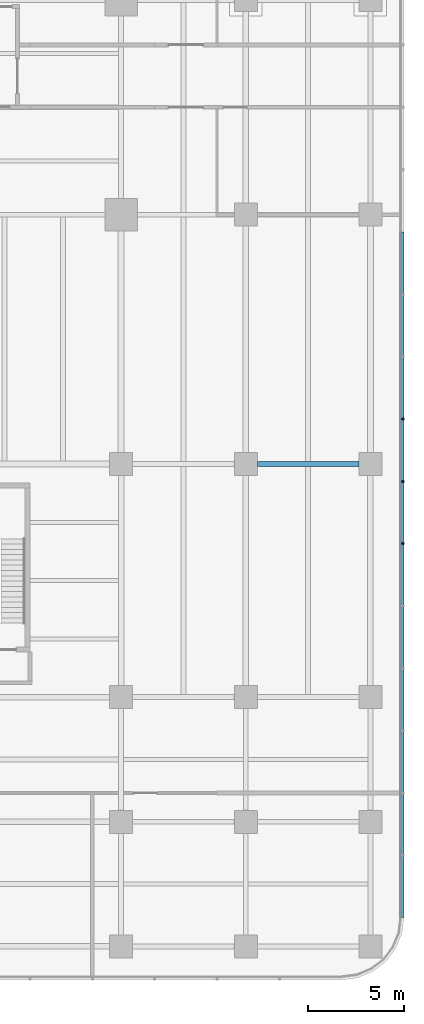
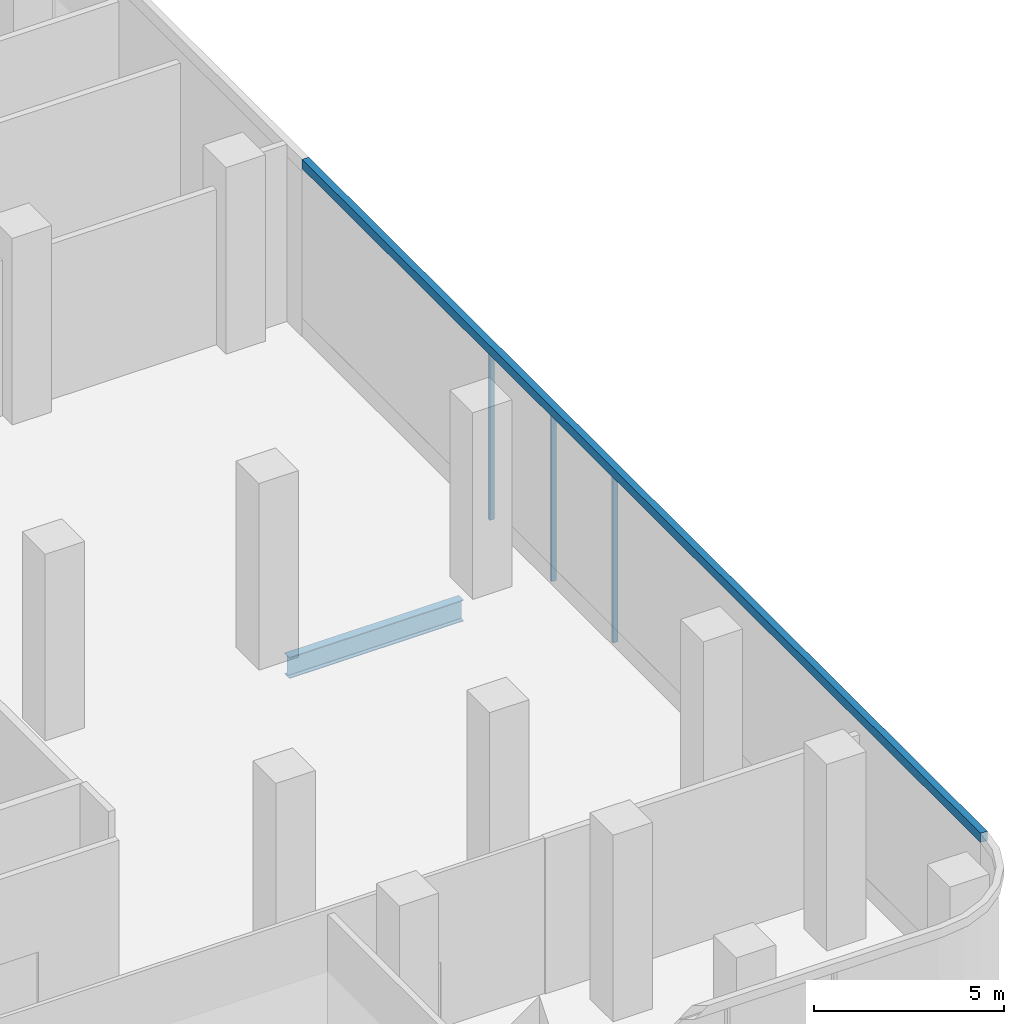
# One storey, part 16 of 41: 4 members, 1 beam, 1 element without a shape of its own.
"""IFC4 building model written with IfcOpenShell, lengths in metres."""

import ifcopenshell
import ifcopenshell.guid

model = None  # the IFC model being written
_history = None  # IfcOwnerHistory: only IFC2X3 demands one
_inside = {}  # id of a spatial element -> (the spatial element, [elements in it])
_under = {}  # id of a project, library or spatial element -> (it, [spatial elements below it])
_declared = {}  # id of a project -> (the project, [libraries it declares])
_typed = {}  # id of a type object -> (the type object, [elements of that type])
_made_of = {}  # id of a material, layer set ... -> (it, [elements and type objects made of it])


def new_model(schema):
    """Start an empty IFC model of exactly this schema.

    Asked for "IFC4X3", IfcOpenShell would pick the latest addendum, in which some entities
    have other attributes; the version numbers below select the first issue.
    IFC2X3 requires an IfcOwnerHistory on every rooted entity: one is made here for all.
    """
    global model, _history
    if schema == "IFC4X3":
        model = ifcopenshell.file(schema_version=(4, 3, 0, 0))
    else:
        model = ifcopenshell.file(schema=schema)
    _inside.clear()
    _under.clear()
    _declared.clear()
    _typed.clear()
    _made_of.clear()
    _history = None
    if model.schema == "IFC2X3":
        org = make("IfcOrganization", Name="unknown")
        user = make(
            "IfcPersonAndOrganization",
            ThePerson=make("IfcPerson", FamilyName="unknown"),
            TheOrganization=org,
        )
        app = make(
            "IfcApplication",
            ApplicationDeveloper=org,
            Version="unknown",
            ApplicationFullName="unknown",
            ApplicationIdentifier="unknown",
        )
        _history = make(
            "IfcOwnerHistory",
            OwningUser=user,
            OwningApplication=app,
            ChangeAction="ADDED",
            CreationDate=0,
        )
    return model


def make(cls, **values):
    """One entity of the class cls with the attributes given. An attribute that is None is left unset."""
    return model.create_entity(
        cls, **{name: value for name, value in values.items() if value is not None}
    )


def rooted(cls, **values):
    """An entity with a GlobalId (a new one), such as an element, a storey or a relation."""
    return make(cls, GlobalId=ifcopenshell.guid.new(), OwnerHistory=_history, **values)


def si_unit(unit_type, name, prefix=None):
    """IfcSIUnit, for example si_unit("LENGTHUNIT", "METRE", prefix="MILLI")."""
    return make("IfcSIUnit", UnitType=unit_type, Prefix=prefix, Name=name)


def assignment(units):
    """IfcUnitAssignment: the units of a project."""
    return None if units is None else make("IfcUnitAssignment", Units=units)


def point(xyz):
    """IfcCartesianPoint."""
    return None if xyz is None else make("IfcCartesianPoint", Coordinates=xyz)


def direction(xyz):
    """IfcDirection."""
    return None if xyz is None else make("IfcDirection", DirectionRatios=xyz)


def frame(location, z_axis=None, x_axis=None):
    """IfcAxis2Placement3D, a coordinate frame: its origin and axes. An axis left out is left unset."""
    return make(
        "IfcAxis2Placement3D",
        Location=point(location),
        Axis=direction(z_axis),
        RefDirection=direction(x_axis),
    )


def frame_2d(location, x_axis=None):
    """IfcAxis2Placement2D, a coordinate frame in the plane: its origin and x axis."""
    return make(
        "IfcAxis2Placement2D", Location=point(location), RefDirection=direction(x_axis)
    )


def origin():
    """The frame at (0, 0, 0) with its axes left unset."""
    return frame((0.0, 0.0, 0.0))


def origin_2d():
    """The frame at (0, 0) in the plane with its x axis left unset."""
    return frame_2d((0.0, 0.0))


def place(relative_to, where):
    """IfcLocalPlacement: puts the frame where relative to a parent placement (None: the world)."""
    return make(
        "IfcLocalPlacement", PlacementRelTo=relative_to, RelativePlacement=where
    )


def context(
    kind, dimensions, precision=None, world=None, true_north=None, identifier=None
):
    """IfcGeometricRepresentationContext, for example the 3D "Model" context."""
    return make(
        "IfcGeometricRepresentationContext",
        ContextIdentifier=identifier,
        ContextType=kind,
        CoordinateSpaceDimension=dimensions,
        Precision=precision,
        WorldCoordinateSystem=world,
        TrueNorth=true_north,
    )


def subcontext(parent, identifier, kind, view, scale=None):
    """IfcGeometricRepresentationSubContext, for example "Body" below "Model"."""
    return make(
        "IfcGeometricRepresentationSubContext",
        ContextIdentifier=identifier,
        ContextType=kind,
        ParentContext=parent,
        TargetScale=scale,
        TargetView=view,
    )


def project(units=None, contexts=None):
    """IfcProject with its units and contexts."""
    return rooted(
        "IfcProject",
        Name="project",
        RepresentationContexts=contexts,
        UnitsInContext=assignment(units),
    )


def spatial(cls, under=None, at=None, **own):
    """A site, building, storey or space (cls), placed at a placement, below another one or the project."""
    s = rooted(cls, ObjectPlacement=at, **own)
    if under is not None:
        _under.setdefault(under.id(), (under, []))[1].append(s)
    return s


def polyline(points):
    """IfcPolyline through the points."""
    return make("IfcPolyline", Points=[point(p) for p in points])


def profile(cls, at=None, kind="AREA", **sizes):
    """A parametric profile (cls). Its sizes go by their IFC names, for example OverallWidth=200.0."""
    return make(cls, ProfileType=kind, Position=at, **sizes)


def rectangle(**sizes):
    """IfcRectangleProfileDef."""
    return profile("IfcRectangleProfileDef", **sizes)


def i_section(**sizes):
    """IfcIShapeProfileDef."""
    return profile("IfcIShapeProfileDef", **sizes)


def outline(outer, holes=None, kind="AREA"):
    """IfcArbitraryClosedProfileDef: a profile drawn as a closed curve; with holes, ...WithVoids."""
    if holes is None:
        return make("IfcArbitraryClosedProfileDef", ProfileType=kind, OuterCurve=outer)
    return make(
        "IfcArbitraryProfileDefWithVoids",
        ProfileType=kind,
        OuterCurve=outer,
        InnerCurves=holes,
    )


def extrude(swept, where, along, depth):
    """IfcExtrudedAreaSolid: the profile swept, set in the frame where, extruded along a direction by depth."""
    return make(
        "IfcExtrudedAreaSolid",
        SweptArea=swept,
        Position=where,
        ExtrudedDirection=direction(along),
        Depth=depth,
    )


def shape(context_of_items, identifier, shape_type, items):
    """IfcShapeRepresentation: the items that make up one representation, for example the "Body"."""
    return make(
        "IfcShapeRepresentation",
        ContextOfItems=context_of_items,
        RepresentationIdentifier=identifier,
        RepresentationType=shape_type,
        Items=items,
    )


def source(mapping_origin, context_of_items, identifier, shape_type, items):
    """IfcRepresentationMap: a shape defined once, which mapped items show again and again."""
    return make(
        "IfcRepresentationMap",
        MappingOrigin=mapping_origin,
        MappedRepresentation=shape(context_of_items, identifier, shape_type, items),
    )


def transform(
    local_origin,
    x_axis=None,
    y_axis=None,
    z_axis=None,
    scale=None,
    scale2=None,
    scale3=None,
    uniform=True,
):
    """IfcCartesianTransformationOperator3D, or its non-uniform kind. x_axis, y_axis, z_axis: its Axis1, 2, 3."""
    if uniform:
        return make(
            "IfcCartesianTransformationOperator3D",
            Axis1=direction(x_axis),
            Axis2=direction(y_axis),
            LocalOrigin=point(local_origin),
            Scale=scale,
            Axis3=direction(z_axis),
        )
    return make(
        "IfcCartesianTransformationOperator3DnonUniform",
        Axis1=direction(x_axis),
        Axis2=direction(y_axis),
        LocalOrigin=point(local_origin),
        Scale=scale,
        Axis3=direction(z_axis),
        Scale2=scale2,
        Scale3=scale3,
    )


def mapped(mapping_source, mapping_target):
    """IfcMappedItem: shows the shape of a source again, moved by a transform."""
    return make(
        "IfcMappedItem", MappingSource=mapping_source, MappingTarget=mapping_target
    )


def material(Name=None, Category=None):
    """IfcMaterial."""
    return make("IfcMaterial", Name=Name, Category=Category)


def layer(
    of_material, thickness, ventilated=None, Name=None, Category=None, Priority=None
):
    """IfcMaterialLayer: one layer of a wall or slab, of a material (None: an air gap)."""
    return make(
        "IfcMaterialLayer",
        Material=of_material,
        LayerThickness=thickness,
        IsVentilated=ventilated,
        Name=Name,
        Category=Category,
        Priority=Priority,
    )


def layer_set(layers, Name=None):
    """IfcMaterialLayerSet."""
    return make("IfcMaterialLayerSet", MaterialLayers=layers, LayerSetName=Name)


def material_profile(
    of_material, cross_section, Name=None, Category=None, Priority=None
):
    """IfcMaterialProfile: a cross section and its material."""
    return make(
        "IfcMaterialProfile",
        Name=Name,
        Material=of_material,
        Profile=cross_section,
        Priority=Priority,
        Category=Category,
    )


def profile_set(profiles, Name=None, composite=None):
    """IfcMaterialProfileSet."""
    return make(
        "IfcMaterialProfileSet",
        Name=Name,
        MaterialProfiles=profiles,
        CompositeProfile=composite,
    )


def made_of(thing, what):
    """Note that an element or type object is made of a material, layer set ...; save() writes the relation."""
    if what is not None:
        _made_of.setdefault(what.id(), (what, []))[1].append(thing)
    return thing


def type_object(cls, material=None, **own):
    """A type object (cls), such as IfcWallType, which elements share."""
    return made_of(rooted(cls, **own), material)


def element(
    cls,
    number,
    at=None,
    inside=None,
    cuts=None,
    type_object=None,
    material=None,
    context=None,
    identifier="Body",
    shape_type=None,
    held_by="IfcProductDefinitionShape",
    body=None,
    shapes=None,
    **own,
):
    """One element of the class cls, such as IfcWall. Its Tag is "e" and its number.

    at: its placement. inside: the storey or other place that contains it. cuts: it is an
    opening in that element (IfcRelVoidsElement). A single representation is given by context,
    identifier, shape_type and body (its items); several are given by shapes. held_by: the class
    of the entity that holds the representations. save() writes the other relations.
    """
    e = rooted(cls, Tag="e%d" % number, ObjectPlacement=at, **own)
    if body is not None:
        shapes = [shape(context, identifier, shape_type, body)]
    if shapes is not None:
        e.Representation = make(held_by, Representations=shapes)
    if inside is not None:
        _inside.setdefault(inside.id(), (inside, []))[1].append(e)
    if cuts is not None:
        rooted(
            "IfcRelVoidsElement", RelatingBuildingElement=cuts, RelatedOpeningElement=e
        )
    if type_object is not None:
        _typed.setdefault(type_object.id(), (type_object, []))[1].append(e)
    return made_of(e, material)


def aggregate(whole, parts):
    """IfcRelAggregates: a whole, such as a stair, and the parts it consists of."""
    return rooted("IfcRelAggregates", RelatingObject=whole, RelatedObjects=parts)


def save(model, path):
    """Write the relations noted so far, then the file.

    IfcRelAggregates (storeys below a building ...), IfcRelContainedInSpatialStructure (elements
    in a storey), IfcRelDefinesByType, IfcRelAssociatesMaterial and IfcRelDeclares: one each for
    every whole, place, type object, material and project.
    """
    for whole, parts in _under.values():
        aggregate(whole, parts)
    for where, things in _inside.values():
        rooted(
            "IfcRelContainedInSpatialStructure",
            RelatedElements=things,
            RelatingStructure=where,
        )
    for kind, things in _typed.values():
        rooted("IfcRelDefinesByType", RelatedObjects=things, RelatingType=kind)
    for what, things in _made_of.values():
        rooted("IfcRelAssociatesMaterial", RelatedObjects=things, RelatingMaterial=what)
    for by, libraries in _declared.values():
        rooted("IfcRelDeclares", RelatingContext=by, RelatedDefinitions=libraries)
    model.write(path)


model = new_model("IFC4")

# Units and contexts
model_context = context("Model", 3, precision=1e-05, world=origin(), true_north=direction((0.0, 1.0)))
body_context = subcontext(model_context, "Body", "Model", "MODEL_VIEW")
ifc_project = project(units=[si_unit("LENGTHUNIT", "METRE"), si_unit("AREAUNIT", "SQUARE_METRE"), si_unit("VOLUMEUNIT", "CUBIC_METRE"), si_unit("PLANEANGLEUNIT", "RADIAN"), si_unit("MASSUNIT", "GRAM", prefix="KILO")], contexts=[model_context])

# Site, building, storey
site_placement = place(None, origin())
site = spatial("IfcSite", under=ifc_project, at=site_placement, CompositionType="ELEMENT")
building_placement = place(site_placement, origin())
building = spatial("IfcBuilding", under=site, at=building_placement, Name="Trellis Farm Tower", CompositionType="ELEMENT")
storey_placement = place(building_placement, frame((0.0, 0.0, 8.0)))
storey = spatial("IfcBuildingStorey", under=building, at=storey_placement, Name="L01", CompositionType="ELEMENT", Elevation=8.0)

# Curtain wall, member
ifc_material_1 = material(Name="Aluminium and glass curtain wall", Category="aluminium")
ifc_layer_1 = layer(ifc_material_1, 0.201904296875)
ifc_layer_set_1 = layer_set([ifc_layer_1], Name="SHOPFRONT CURTAIN WALL CW2")
curtain_wall_type = type_object("IfcCurtainWallType", Name="SHOPFRONT CURTAIN WALL CW2", PredefinedType="NOTDEFINED", material=ifc_layer_set_1)
curtain_wall_placement = place(storey_placement, origin())
curtain_wall = element("IfcCurtainWall", 1, at=curtain_wall_placement, inside=storey, type_object=curtain_wall_type, Name="CW2 001", PredefinedType="NOTDEFINED")
ifc_material_2 = material(Name="Aluminium extrusion 6063-T6", Category="aluminium")
ifc_layer_2 = layer(ifc_material_2, 0.205078125)
ifc_layer_set_2 = layer_set([ifc_layer_2], Name="Aluminium extrusion 6063-T6")
member_type_1 = type_object("IfcMemberType", Name="CW2 TRANSOM 205x300", PredefinedType="USERDEFINED", material=ifc_layer_set_2)
member_1_placement = place(storey_placement, frame((0.0, 0.0, 5.39990234375)))
member_1 = element("IfcMember", 2, at=member_1_placement, type_object=member_type_1, Name="TR2 001", ObjectType="TRANSOM", PredefinedType="USERDEFINED", context=body_context, shape_type="SweptSolid", body=[
    extrude(outline(polyline([(45.5, -42.25), (45.5, -6.5), (45.294921875, -6.5), (45.294921875, -42.236572265625), (45.5, -42.25)])), origin(), (0.0, 0.0, 1.0), 0.300048828125),
])

# Beam
ifc_material_3 = material(Name="Steel S355", Category="steel")
ifc_material_profile_1 = material_profile(ifc_material_3, i_section(OverallWidth=0.253662109375, OverallDepth=0.68359375, WebThickness=0.012451171875, FlangeThickness=0.021728515625, FilletRadius=0.01513671875, at=origin_2d()), Name="UB 686x254x140")
ifc_profile_set_1 = profile_set([ifc_material_profile_1], Name="Steel S355")
beam_type = type_object("IfcBeamType", Name="UB 686x254x140", PredefinedType="BEAM", material=ifc_profile_set_1)
shared_shape_1 = source(origin(), body_context, "Body", "SweptSolid", [
    extrude(i_section(OverallWidth=0.253662109375, OverallDepth=0.68359375, WebThickness=0.012451171875, FlangeThickness=0.021728515625, FilletRadius=0.01513671875, at=origin_2d()), origin(), (0.0, 0.0, 1.0), 5.2998046875),
])
beam_placement = place(storey_placement, frame((37.85009765625, -18.60009765625, -0.641845703125), z_axis=(1.0, 0.0, 0.0), x_axis=(0.0, 1.0, 0.0)))
element("IfcBeam", 3, at=beam_placement, inside=storey, type_object=beam_type, Name="Girder", PredefinedType="BEAM", context=body_context, shape_type="MappedRepresentation", body=[
    mapped(shared_shape_1, transform((0.0, 0.0, 0.0))),
])

# Member
ifc_material_profile_2 = material_profile(ifc_material_2, rectangle(XDim=0.080078125, YDim=0.14990234375, at=origin_2d()), Name="MULLION 80x150")
ifc_profile_set_2 = profile_set([ifc_material_profile_2], Name="Aluminium extrusion 6063-T6")
member_type_2 = type_object("IfcMemberType", Name="CW2 MULLION 80x150", PredefinedType="MULLION", material=ifc_profile_set_2)
shared_shape_2 = source(origin(), body_context, "Body", "SweptSolid", [
    extrude(rectangle(XDim=0.080078125, YDim=0.14990234375, at=origin_2d()), origin(), (0.0, 0.0, 1.0), 5.39990234375),
])
member_2_placement = place(storey_placement, frame((45.425048828125, -22.75, 0.0), z_axis=(0.0, 0.0, 1.0), x_axis=(0.0, 1.0, 0.0)))
member_2 = element("IfcMember", 4, at=member_2_placement, type_object=member_type_2, Name="MU2 001-06", PredefinedType="MULLION", context=body_context, shape_type="MappedRepresentation", body=[
    mapped(shared_shape_2, transform((0.0, 0.0, 0.0))),
])

member_3_placement = place(storey_placement, frame((45.425048828125, -19.5, 0.0), z_axis=(0.0, 0.0, 1.0), x_axis=(0.0, 1.0, 0.0)))
member_3 = element("IfcMember", 5, at=member_3_placement, type_object=member_type_2, Name="MU2 001-07", PredefinedType="MULLION", context=body_context, shape_type="MappedRepresentation", body=[
    mapped(shared_shape_2, transform((0.0, 0.0, 0.0))),
])

member_4_placement = place(storey_placement, frame((45.425048828125, -16.25, 0.0), z_axis=(0.0, 0.0, 1.0), x_axis=(0.0, 1.0, 0.0)))
member_4 = element("IfcMember", 6, at=member_4_placement, type_object=member_type_2, Name="MU2 001-08", PredefinedType="MULLION", context=body_context, shape_type="MappedRepresentation", body=[
    mapped(shared_shape_2, transform((0.0, 0.0, 0.0))),
])

aggregate(curtain_wall, [member_2, member_3, member_4, member_1])

save(model, "model.ifc")
